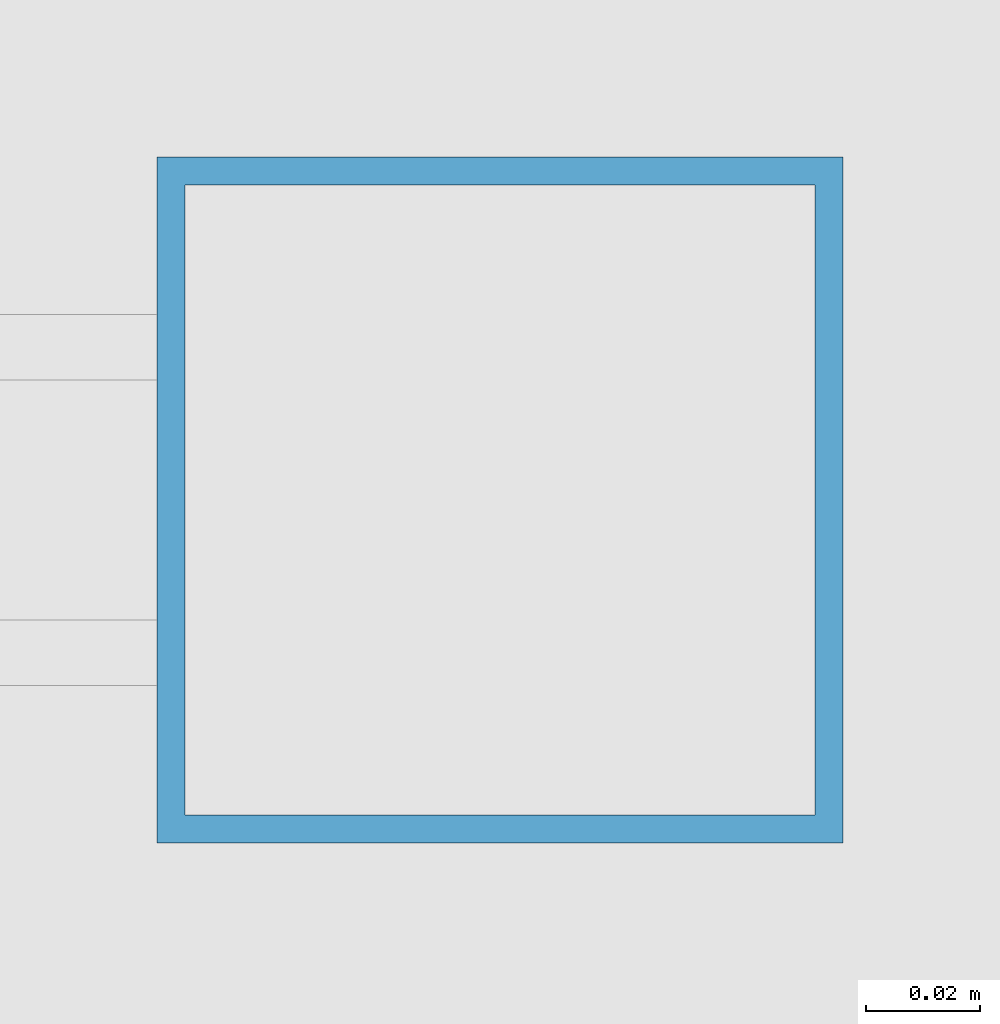
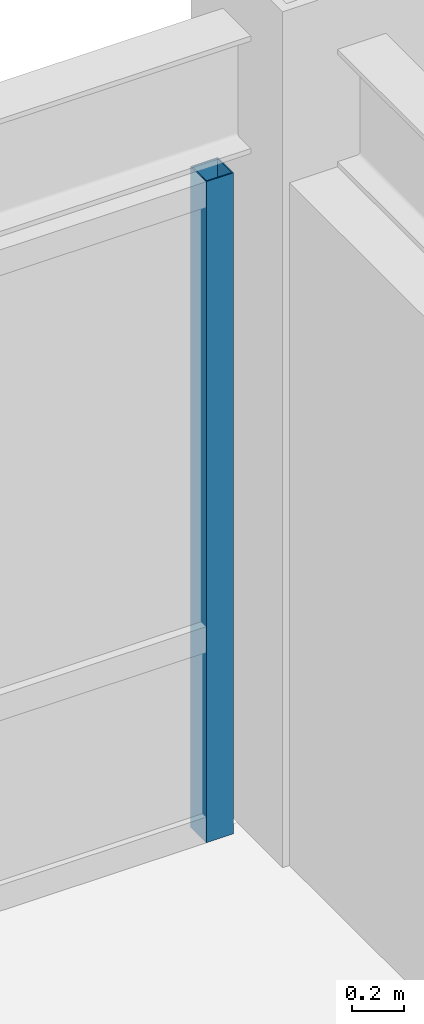
# One storey, part 22 of 29: 1 member, 1 element without a shape of its own.
"""IFC4 building model written with IfcOpenShell, lengths in metres."""

from ifc_helpers import new_model, si_unit, direction, frame, origin, origin_2d, place, context, subcontext, project, spatial, hollow_rectangle, extrude, source, transform, mapped, material, material_profile, profile_set, type_object, element, aggregate, save


model = new_model("IFC4")

# Units and contexts
model_context = context("Model", 3, precision=1e-05, world=origin(), true_north=direction((0.0, 1.0)))
body_context = subcontext(model_context, "Body", "Model", "MODEL_VIEW")
ifc_project = project(units=[si_unit("LENGTHUNIT", "METRE"), si_unit("AREAUNIT", "SQUARE_METRE"), si_unit("VOLUMEUNIT", "CUBIC_METRE"), si_unit("PLANEANGLEUNIT", "RADIAN"), si_unit("MASSUNIT", "GRAM", prefix="KILO")], contexts=[model_context])

# Site, building, storey
site_placement = place(None, origin())
site = spatial("IfcSite", under=ifc_project, at=site_placement, CompositionType="ELEMENT")
building_placement = place(site_placement, origin())
building = spatial("IfcBuilding", under=site, at=building_placement, Name="Khorayat Bourse Tower", CompositionType="ELEMENT")
storey_placement = place(building_placement, frame((0.0, 0.0, 358.300048828125)))
storey = spatial("IfcBuildingStorey", under=building, at=storey_placement, Name="L85", CompositionType="ELEMENT", Elevation=358.300048828125)

# Curtain wall, member
ifc_material = material(Name="Aluminium EN AW-6063 T6", Category="aluminium")
curtain_wall_type = type_object("IfcCurtainWallType", Name="CW-SYS-04", PredefinedType="NOTDEFINED", material=ifc_material)
curtain_wall_placement = place(storey_placement, origin())
curtain_wall = element("IfcCurtainWall", 1, at=curtain_wall_placement, inside=storey, type_object=curtain_wall_type, Name="L85 Curtain Wall CW-L85-N1", PredefinedType="NOTDEFINED")
ifc_material_profile = material_profile(ifc_material, hollow_rectangle(XDim=0.1201171875, YDim=0.1201171875, WallThickness=0.0048828125, at=origin_2d()), Name="ALU 120x120x5")
ifc_profile_set = profile_set([ifc_material_profile], Name="Aluminium EN AW-6063 T6")
member_type = type_object("IfcMemberType", Name="CWM-VERT-120", PredefinedType="MULLION", material=ifc_profile_set)
shared_shape = source(origin(), body_context, "Body", "SweptSolid", [
    extrude(hollow_rectangle(XDim=0.1201171875, YDim=0.1201171875, WallThickness=0.0048828125, at=origin_2d()), origin(), (0.0, 0.0, 1.0), 3.08984375),
])
member_placement = place(storey_placement, frame((19.5400390625, 26.0, 0.0), z_axis=(0.0, 0.0, 1.0), x_axis=(0.0, 1.0, 0.0)))
member = element("IfcMember", 2, at=member_placement, type_object=member_type, Name="CW-L85-N1 Vertical Mullion 3", PredefinedType="MULLION", context=body_context, shape_type="MappedRepresentation", body=[
    mapped(shared_shape, transform((0.0, 0.0, 0.0), scale=1.0)),
])
aggregate(curtain_wall, [member])

save(model, "model.ifc")
